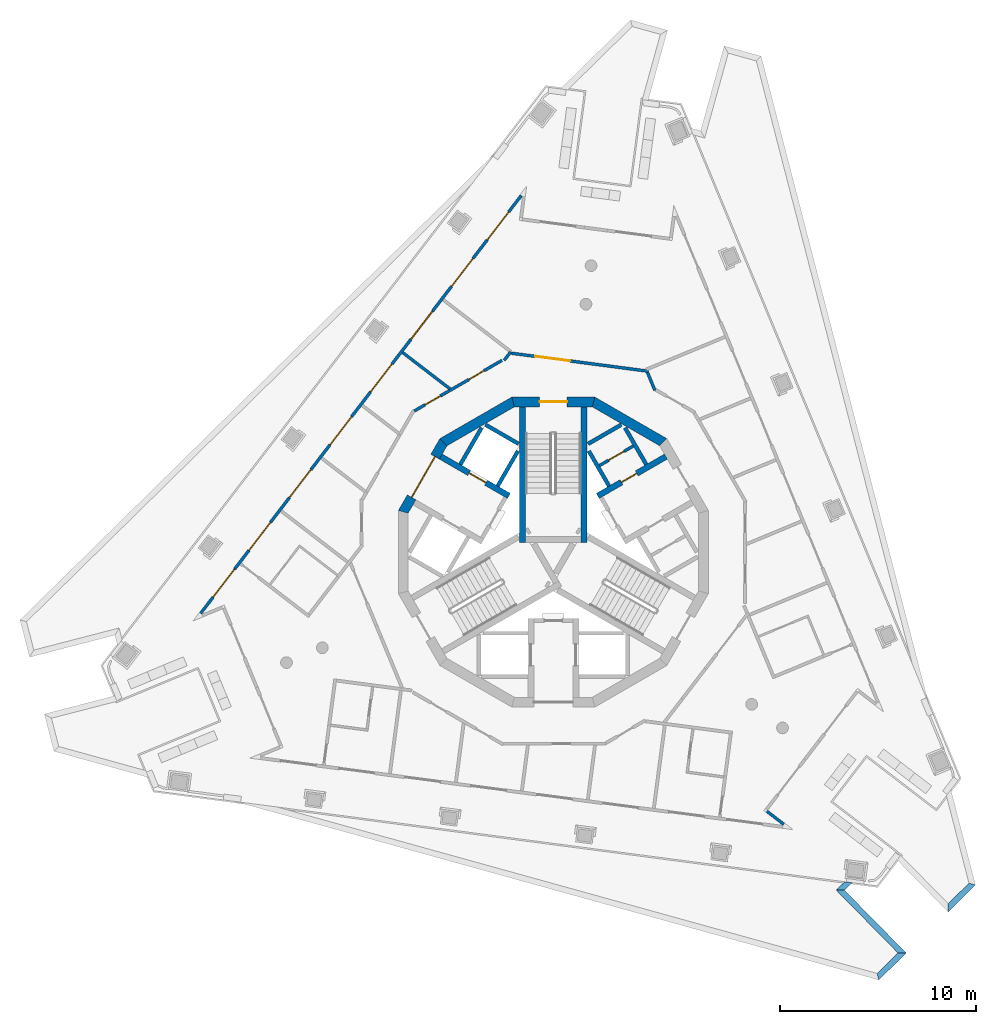
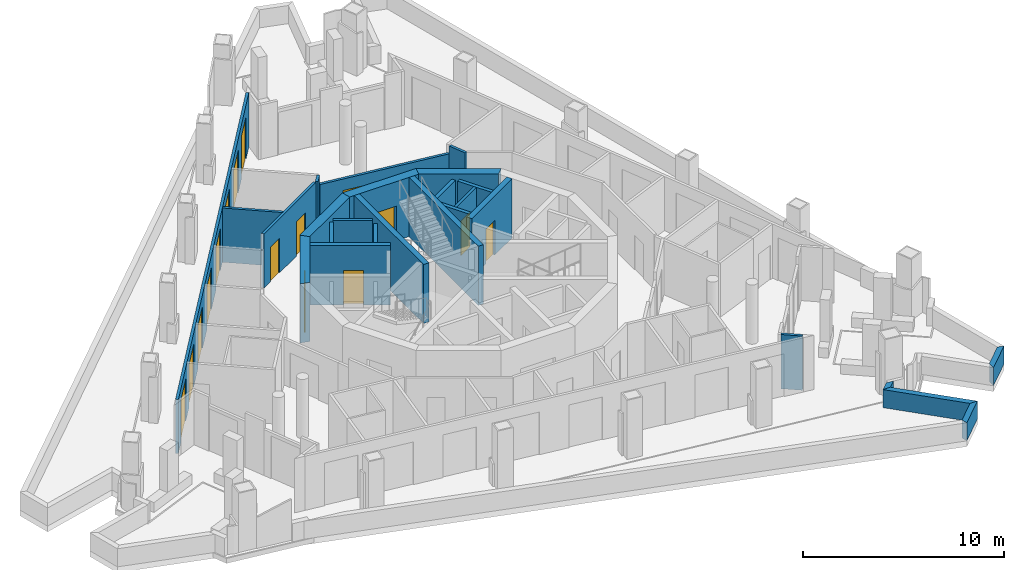
# One storey, part 4 of 12: 26 walls, 16 doors, 16 openings.
"""IFC4 building model written with IfcOpenShell, lengths in metres."""

import ifcopenshell
import ifcopenshell.guid

model = None  # the IFC model being written
_history = None  # IfcOwnerHistory: only IFC2X3 demands one
_inside = {}  # id of a spatial element -> (the spatial element, [elements in it])
_under = {}  # id of a project, library or spatial element -> (it, [spatial elements below it])
_declared = {}  # id of a project -> (the project, [libraries it declares])
_typed = {}  # id of a type object -> (the type object, [elements of that type])
_made_of = {}  # id of a material, layer set ... -> (it, [elements and type objects made of it])


def new_model(schema):
    """Start an empty IFC model of exactly this schema.

    Asked for "IFC4X3", IfcOpenShell would pick the latest addendum, in which some entities
    have other attributes; the version numbers below select the first issue.
    IFC2X3 requires an IfcOwnerHistory on every rooted entity: one is made here for all.
    """
    global model, _history
    if schema == "IFC4X3":
        model = ifcopenshell.file(schema_version=(4, 3, 0, 0))
    else:
        model = ifcopenshell.file(schema=schema)
    _inside.clear()
    _under.clear()
    _declared.clear()
    _typed.clear()
    _made_of.clear()
    _history = None
    if model.schema == "IFC2X3":
        org = make("IfcOrganization", Name="unknown")
        user = make(
            "IfcPersonAndOrganization",
            ThePerson=make("IfcPerson", FamilyName="unknown"),
            TheOrganization=org,
        )
        app = make(
            "IfcApplication",
            ApplicationDeveloper=org,
            Version="unknown",
            ApplicationFullName="unknown",
            ApplicationIdentifier="unknown",
        )
        _history = make(
            "IfcOwnerHistory",
            OwningUser=user,
            OwningApplication=app,
            ChangeAction="ADDED",
            CreationDate=0,
        )
    return model


def make(cls, **values):
    """One entity of the class cls with the attributes given. An attribute that is None is left unset."""
    return model.create_entity(
        cls, **{name: value for name, value in values.items() if value is not None}
    )


def rooted(cls, **values):
    """An entity with a GlobalId (a new one), such as an element, a storey or a relation."""
    return make(cls, GlobalId=ifcopenshell.guid.new(), OwnerHistory=_history, **values)


def si_unit(unit_type, name, prefix=None):
    """IfcSIUnit, for example si_unit("LENGTHUNIT", "METRE", prefix="MILLI")."""
    return make("IfcSIUnit", UnitType=unit_type, Prefix=prefix, Name=name)


def assignment(units):
    """IfcUnitAssignment: the units of a project."""
    return None if units is None else make("IfcUnitAssignment", Units=units)


def point(xyz):
    """IfcCartesianPoint."""
    return None if xyz is None else make("IfcCartesianPoint", Coordinates=xyz)


def direction(xyz):
    """IfcDirection."""
    return None if xyz is None else make("IfcDirection", DirectionRatios=xyz)


def frame(location, z_axis=None, x_axis=None):
    """IfcAxis2Placement3D, a coordinate frame: its origin and axes. An axis left out is left unset."""
    return make(
        "IfcAxis2Placement3D",
        Location=point(location),
        Axis=direction(z_axis),
        RefDirection=direction(x_axis),
    )


def frame_2d(location, x_axis=None):
    """IfcAxis2Placement2D, a coordinate frame in the plane: its origin and x axis."""
    return make(
        "IfcAxis2Placement2D", Location=point(location), RefDirection=direction(x_axis)
    )


def origin():
    """The frame at (0, 0, 0) with its axes left unset."""
    return frame((0.0, 0.0, 0.0))


def place(relative_to, where):
    """IfcLocalPlacement: puts the frame where relative to a parent placement (None: the world)."""
    return make(
        "IfcLocalPlacement", PlacementRelTo=relative_to, RelativePlacement=where
    )


def context(
    kind, dimensions, precision=None, world=None, true_north=None, identifier=None
):
    """IfcGeometricRepresentationContext, for example the 3D "Model" context."""
    return make(
        "IfcGeometricRepresentationContext",
        ContextIdentifier=identifier,
        ContextType=kind,
        CoordinateSpaceDimension=dimensions,
        Precision=precision,
        WorldCoordinateSystem=world,
        TrueNorth=true_north,
    )


def subcontext(parent, identifier, kind, view, scale=None):
    """IfcGeometricRepresentationSubContext, for example "Body" below "Model"."""
    return make(
        "IfcGeometricRepresentationSubContext",
        ContextIdentifier=identifier,
        ContextType=kind,
        ParentContext=parent,
        TargetScale=scale,
        TargetView=view,
    )


def project(units=None, contexts=None):
    """IfcProject with its units and contexts."""
    return rooted(
        "IfcProject",
        Name="project",
        RepresentationContexts=contexts,
        UnitsInContext=assignment(units),
    )


def spatial(cls, under=None, at=None, **own):
    """A site, building, storey or space (cls), placed at a placement, below another one or the project."""
    s = rooted(cls, ObjectPlacement=at, **own)
    if under is not None:
        _under.setdefault(under.id(), (under, []))[1].append(s)
    return s


def polyline(points):
    """IfcPolyline through the points."""
    return make("IfcPolyline", Points=[point(p) for p in points])


def profile(cls, at=None, kind="AREA", **sizes):
    """A parametric profile (cls). Its sizes go by their IFC names, for example OverallWidth=200.0."""
    return make(cls, ProfileType=kind, Position=at, **sizes)


def rectangle(**sizes):
    """IfcRectangleProfileDef."""
    return profile("IfcRectangleProfileDef", **sizes)


def outline(outer, holes=None, kind="AREA"):
    """IfcArbitraryClosedProfileDef: a profile drawn as a closed curve; with holes, ...WithVoids."""
    if holes is None:
        return make("IfcArbitraryClosedProfileDef", ProfileType=kind, OuterCurve=outer)
    return make(
        "IfcArbitraryProfileDefWithVoids",
        ProfileType=kind,
        OuterCurve=outer,
        InnerCurves=holes,
    )


def extrude(swept, where, along, depth):
    """IfcExtrudedAreaSolid: the profile swept, set in the frame where, extruded along a direction by depth."""
    return make(
        "IfcExtrudedAreaSolid",
        SweptArea=swept,
        Position=where,
        ExtrudedDirection=direction(along),
        Depth=depth,
    )


def shape(context_of_items, identifier, shape_type, items):
    """IfcShapeRepresentation: the items that make up one representation, for example the "Body"."""
    return make(
        "IfcShapeRepresentation",
        ContextOfItems=context_of_items,
        RepresentationIdentifier=identifier,
        RepresentationType=shape_type,
        Items=items,
    )


def material(Name=None, Category=None):
    """IfcMaterial."""
    return make("IfcMaterial", Name=Name, Category=Category)


def layer(
    of_material, thickness, ventilated=None, Name=None, Category=None, Priority=None
):
    """IfcMaterialLayer: one layer of a wall or slab, of a material (None: an air gap)."""
    return make(
        "IfcMaterialLayer",
        Material=of_material,
        LayerThickness=thickness,
        IsVentilated=ventilated,
        Name=Name,
        Category=Category,
        Priority=Priority,
    )


def layer_set(layers, Name=None):
    """IfcMaterialLayerSet."""
    return make("IfcMaterialLayerSet", MaterialLayers=layers, LayerSetName=Name)


def made_of(thing, what):
    """Note that an element or type object is made of a material, layer set ...; save() writes the relation."""
    if what is not None:
        _made_of.setdefault(what.id(), (what, []))[1].append(thing)
    return thing


def type_object(cls, material=None, **own):
    """A type object (cls), such as IfcWallType, which elements share."""
    return made_of(rooted(cls, **own), material)


def element(
    cls,
    number,
    at=None,
    inside=None,
    cuts=None,
    type_object=None,
    material=None,
    context=None,
    identifier="Body",
    shape_type=None,
    held_by="IfcProductDefinitionShape",
    body=None,
    shapes=None,
    **own,
):
    """One element of the class cls, such as IfcWall. Its Tag is "e" and its number.

    at: its placement. inside: the storey or other place that contains it. cuts: it is an
    opening in that element (IfcRelVoidsElement). A single representation is given by context,
    identifier, shape_type and body (its items); several are given by shapes. held_by: the class
    of the entity that holds the representations. save() writes the other relations.
    """
    e = rooted(cls, Tag="e%d" % number, ObjectPlacement=at, **own)
    if body is not None:
        shapes = [shape(context, identifier, shape_type, body)]
    if shapes is not None:
        e.Representation = make(held_by, Representations=shapes)
    if inside is not None:
        _inside.setdefault(inside.id(), (inside, []))[1].append(e)
    if cuts is not None:
        rooted(
            "IfcRelVoidsElement", RelatingBuildingElement=cuts, RelatedOpeningElement=e
        )
    if type_object is not None:
        _typed.setdefault(type_object.id(), (type_object, []))[1].append(e)
    return made_of(e, material)


def fill(opening, filler):
    """IfcRelFillsElement: the door or window that sits in an opening."""
    return rooted(
        "IfcRelFillsElement",
        RelatingOpeningElement=opening,
        RelatedBuildingElement=filler,
    )


def aggregate(whole, parts):
    """IfcRelAggregates: a whole, such as a stair, and the parts it consists of."""
    return rooted("IfcRelAggregates", RelatingObject=whole, RelatedObjects=parts)


def save(model, path):
    """Write the relations noted so far, then the file.

    IfcRelAggregates (storeys below a building ...), IfcRelContainedInSpatialStructure (elements
    in a storey), IfcRelDefinesByType, IfcRelAssociatesMaterial and IfcRelDeclares: one each for
    every whole, place, type object, material and project.
    """
    for whole, parts in _under.values():
        aggregate(whole, parts)
    for where, things in _inside.values():
        rooted(
            "IfcRelContainedInSpatialStructure",
            RelatedElements=things,
            RelatingStructure=where,
        )
    for kind, things in _typed.values():
        rooted("IfcRelDefinesByType", RelatedObjects=things, RelatingType=kind)
    for what, things in _made_of.values():
        rooted("IfcRelAssociatesMaterial", RelatedObjects=things, RelatingMaterial=what)
    for by, libraries in _declared.values():
        rooted("IfcRelDeclares", RelatingContext=by, RelatedDefinitions=libraries)
    model.write(path)


model = new_model("IFC4")

# Units and contexts
model_context = context("Model", 3, precision=1e-05, world=origin(), true_north=direction((0.0, 1.0)))
body_context = subcontext(model_context, "Body", "Model", "MODEL_VIEW")
ifc_project = project(units=[si_unit("LENGTHUNIT", "METRE"), si_unit("AREAUNIT", "SQUARE_METRE"), si_unit("VOLUMEUNIT", "CUBIC_METRE"), si_unit("PLANEANGLEUNIT", "RADIAN"), si_unit("MASSUNIT", "GRAM", prefix="KILO")], contexts=[model_context])

# Site, building, storey
site_placement = place(None, origin())
site = spatial("IfcSite", under=ifc_project, at=site_placement, CompositionType="ELEMENT")
building_placement = place(site_placement, origin())
building = spatial("IfcBuilding", under=site, at=building_placement, Name="Trine Commons Tower", CompositionType="ELEMENT")
storey_placement = place(building_placement, frame((0.0, 0.0, 271.800048828125)))
storey = spatial("IfcBuildingStorey", under=building, at=storey_placement, Name="L71", CompositionType="ELEMENT", Elevation=271.800048828125)

# Wall, opening, door
ifc_material_1 = material(Name="Plasterboard partition on steel studs", Category="steel")
ifc_layer_1 = layer(ifc_material_1, 0.14990234375)
ifc_layer_set_1 = layer_set([ifc_layer_1], Name="Plasterboard partition on steel studs")
wall_type_1 = type_object("IfcWallType", Name="Core room partition 150 mm, EI 60", PredefinedType="PARTITIONING", material=ifc_layer_set_1)
wall_1_placement = place(storey_placement, frame((82.35498046875, 66.919921875, 0.0), z_axis=(0.0, 0.0, 1.0), x_axis=(0.866010750942, 0.50002537861, 0.0)))
wall_1 = element("IfcWall", 1, at=wall_1_placement, inside=storey, type_object=wall_type_1, Name="Core room partition L71", PredefinedType="PARTITIONING", context=body_context, shape_type="SweptSolid", body=[
    extrude(rectangle(XDim=2.0, YDim=0.14990234375, at=frame_2d((1.0, 0.0))), origin(), (0.0, 0.0, 1.0), 3.300048828125),
])
opening_1_placement = place(wall_1_placement, frame((0.550537109375, 0.0, 0.0)))
opening_1 = element("IfcOpeningElement", 2, at=opening_1_placement, cuts=wall_1, Name="Opening K19.11", PredefinedType="OPENING", context=body_context, shape_type="SweptSolid", body=[
    extrude(rectangle(XDim=0.89990234375, YDim=2.10009765625, at=frame_2d((0.449951171875, 1.050048828125))), frame((0.0, 0.0849609375, 0.0), z_axis=(0.0, -1.0, 0.0), x_axis=(1.0, 0.0, 0.0)), (0.0, 0.0, 1.0), 0.169921875),
])
ifc_material_2 = material(Name="Steel door leaf, fire-rated", Category="steel")
door_type_1 = type_object("IfcDoorType", Name="Core room door, single leaf 900 x 2100, FD30S", OperationType="SINGLE_SWING_LEFT", PredefinedType="DOOR", material=ifc_material_2)
door_1_placement = place(opening_1_placement, origin())
door_1 = element("IfcDoor", 3, at=door_1_placement, inside=storey, type_object=door_type_1, Name="Door to Parcel store L71", OperationType="SINGLE_SWING_RIGHT", OverallHeight=2.10009765625, OverallWidth=0.89990234375, PredefinedType="DOOR", context=body_context, shape_type="SweptSolid", body=[
    extrude(rectangle(XDim=0.89990234375, YDim=2.10009765625, at=frame_2d((0.449951171875, 1.050048828125))), frame((0.0, 0.02490234375, 0.0), z_axis=(0.0, -1.0, 0.0), x_axis=(1.0, 0.0, 0.0)), (0.0, 0.0, 1.0), 0.050048828125),
])
fill(opening_1, door_1)

# Wall, openings, doors
ifc_material_3 = material(Name="Aluminium-framed insulated wall panel", Category="aluminium")
ifc_layer_2 = layer(ifc_material_3, 0.14990234375)
ifc_layer_set_2 = layer_set([ifc_layer_2], Name="Aluminium-framed insulated wall panel")
wall_type_2 = type_object("IfcWallType", Name="Glazed frame wall 150, EI 60", PredefinedType="SOLIDWALL", material=ifc_layer_set_2)
wall_2_placement = place(storey_placement, frame((61.8876953125, 59.251708984375, 0.0), z_axis=(0.0, 0.0, 1.0), x_axis=(0.608757974151, 0.793355991284, 0.0)))
wall_2 = element("IfcWall", 4, at=wall_2_placement, inside=storey, type_object=wall_type_2, Name="Glazed frame wall F1", PredefinedType="SOLIDWALL", context=body_context, shape_type="SweptSolid", body=[
    extrude(outline(polyline([(0.1494140625, 0.074951171875), (0.1494140625, -0.074951171875), (27.056884765625, -0.074951171875), (27.056884765625, 0.074951171875), (0.1494140625, 0.074951171875)])), origin(), (0.0, 0.0, 1.0), 3.300048828125),
])
opening_2_placement = place(wall_2_placement, frame((1.200439453125, 0.0, 0.0)))
opening_2 = element("IfcOpeningElement", 5, at=opening_2_placement, cuts=wall_2, Name="Opening BD-8F1-01", PredefinedType="OPENING", context=body_context, shape_type="SweptSolid", body=[
    extrude(rectangle(XDim=1.800048828125, YDim=2.60009765625, at=frame_2d((0.89990234375, 1.300048828125))), frame((0.0, 0.0849609375, 0.0), z_axis=(0.0, -1.0, 0.0), x_axis=(1.0, 0.0, 0.0)), (0.0, 0.0, 1.0), 0.169921875),
])
opening_3_placement = place(wall_2_placement, frame((4.201171875, 0.0, 0.0)))
opening_3 = element("IfcOpeningElement", 6, at=opening_3_placement, cuts=wall_2, Name="Opening BD-8F1-02", PredefinedType="OPENING", context=body_context, shape_type="SweptSolid", body=[
    extrude(rectangle(XDim=1.800048828125, YDim=2.60009765625, at=frame_2d((0.89990234375, 1.300048828125))), frame((0.0, 0.0849609375, 0.0), z_axis=(0.0, -1.0, 0.0), x_axis=(1.0, 0.0, 0.0)), (0.0, 0.0, 1.0), 0.169921875),
])
opening_4_placement = place(wall_2_placement, frame((7.60205078125, 0.0, 0.0)))
opening_4 = element("IfcOpeningElement", 7, at=opening_4_placement, cuts=wall_2, Name="Opening BD-8F1-03", PredefinedType="OPENING", context=body_context, shape_type="SweptSolid", body=[
    extrude(rectangle(XDim=1.800048828125, YDim=2.60009765625, at=frame_2d((0.89990234375, 1.300048828125))), frame((0.0, 0.0849609375, 0.0), z_axis=(0.0, -1.0, 0.0), x_axis=(1.0, 0.0, 0.0)), (0.0, 0.0, 1.0), 0.169921875),
])
opening_5_placement = place(wall_2_placement, frame((11.002685546875, 0.0, 0.0)))
opening_5 = element("IfcOpeningElement", 8, at=opening_5_placement, cuts=wall_2, Name="Opening BD-8F1-04", PredefinedType="OPENING", context=body_context, shape_type="SweptSolid", body=[
    extrude(rectangle(XDim=1.800048828125, YDim=2.60009765625, at=frame_2d((0.89990234375, 1.300048828125))), frame((0.0, 0.0849609375, 0.0), z_axis=(0.0, -1.0, 0.0), x_axis=(1.0, 0.0, 0.0)), (0.0, 0.0, 1.0), 0.169921875),
])
opening_6_placement = place(wall_2_placement, frame((14.403564453125, 0.0, 0.0)))
opening_6 = element("IfcOpeningElement", 9, at=opening_6_placement, cuts=wall_2, Name="Opening BD-8F1-05", PredefinedType="OPENING", context=body_context, shape_type="SweptSolid", body=[
    extrude(rectangle(XDim=1.800048828125, YDim=2.60009765625, at=frame_2d((0.89990234375, 1.300048828125))), frame((0.0, 0.0849609375, 0.0), z_axis=(0.0, -1.0, 0.0), x_axis=(1.0, 0.0, 0.0)), (0.0, 0.0, 1.0), 0.169921875),
])
opening_7_placement = place(wall_2_placement, frame((17.804443359375, 0.0, 0.0)))
opening_7 = element("IfcOpeningElement", 10, at=opening_7_placement, cuts=wall_2, Name="Opening BD-8F1-06", PredefinedType="OPENING", context=body_context, shape_type="SweptSolid", body=[
    extrude(rectangle(XDim=1.800048828125, YDim=2.60009765625, at=frame_2d((0.89990234375, 1.300048828125))), frame((0.0, 0.0849609375, 0.0), z_axis=(0.0, -1.0, 0.0), x_axis=(1.0, 0.0, 0.0)), (0.0, 0.0, 1.0), 0.169921875),
])
opening_8_placement = place(wall_2_placement, frame((21.205078125, 0.0, 0.0)))
opening_8 = element("IfcOpeningElement", 11, at=opening_8_placement, cuts=wall_2, Name="Opening BD-8F1-07", PredefinedType="OPENING", context=body_context, shape_type="SweptSolid", body=[
    extrude(rectangle(XDim=1.800048828125, YDim=2.60009765625, at=frame_2d((0.89990234375, 1.300048828125))), frame((0.0, 0.0849609375, 0.0), z_axis=(0.0, -1.0, 0.0), x_axis=(1.0, 0.0, 0.0)), (0.0, 0.0, 1.0), 0.169921875),
])
opening_9_placement = place(wall_2_placement, frame((24.2060546875, 0.0, 0.0)))
opening_9 = element("IfcOpeningElement", 12, at=opening_9_placement, cuts=wall_2, Name="Opening BD-8F1-08", PredefinedType="OPENING", context=body_context, shape_type="SweptSolid", body=[
    extrude(rectangle(XDim=1.800048828125, YDim=2.60009765625, at=frame_2d((0.89990234375, 1.300048828125))), frame((0.0, 0.0849609375, 0.0), z_axis=(0.0, -1.0, 0.0), x_axis=(1.0, 0.0, 0.0)), (0.0, 0.0, 1.0), 0.169921875),
])
ifc_material_4 = material(Name="Anodised aluminium frame with double glazing", Category="aluminium")
door_type_2 = type_object("IfcDoorType", Name="Sliding loggia door 1800x2600", OperationType="SLIDING_TO_LEFT", PredefinedType="DOOR", material=ifc_material_4)
door_2_placement = place(opening_2_placement, origin())
door_2 = element("IfcDoor", 13, at=door_2_placement, inside=storey, type_object=door_type_2, Name="Loggia door F1 1", OperationType="SLIDING_TO_LEFT", OverallHeight=2.60009765625, OverallWidth=1.800048828125, PredefinedType="DOOR", context=body_context, shape_type="SweptSolid", body=[
    extrude(rectangle(XDim=1.800048828125, YDim=2.60009765625, at=frame_2d((0.89990234375, 1.300048828125))), frame((0.0, 0.02490234375, 0.0), z_axis=(0.0, -1.0, 0.0), x_axis=(1.0, 0.0, 0.0)), (0.0, 0.0, 1.0), 0.050048828125),
])
fill(opening_2, door_2)
door_3_placement = place(opening_3_placement, origin())
door_3 = element("IfcDoor", 14, at=door_3_placement, inside=storey, type_object=door_type_2, Name="Loggia door F1 2", OperationType="SLIDING_TO_LEFT", OverallHeight=2.60009765625, OverallWidth=1.800048828125, PredefinedType="DOOR", context=body_context, shape_type="SweptSolid", body=[
    extrude(rectangle(XDim=1.800048828125, YDim=2.60009765625, at=frame_2d((0.89990234375, 1.300048828125))), frame((0.0, 0.02490234375, 0.0), z_axis=(0.0, -1.0, 0.0), x_axis=(1.0, 0.0, 0.0)), (0.0, 0.0, 1.0), 0.050048828125),
])
fill(opening_3, door_3)
door_4_placement = place(opening_4_placement, origin())
door_4 = element("IfcDoor", 15, at=door_4_placement, inside=storey, type_object=door_type_2, Name="Loggia door F1 3", OperationType="SLIDING_TO_LEFT", OverallHeight=2.60009765625, OverallWidth=1.800048828125, PredefinedType="DOOR", context=body_context, shape_type="SweptSolid", body=[
    extrude(rectangle(XDim=1.800048828125, YDim=2.60009765625, at=frame_2d((0.89990234375, 1.300048828125))), frame((0.0, 0.02490234375, 0.0), z_axis=(0.0, -1.0, 0.0), x_axis=(1.0, 0.0, 0.0)), (0.0, 0.0, 1.0), 0.050048828125),
])
fill(opening_4, door_4)
door_5_placement = place(opening_5_placement, origin())
door_5 = element("IfcDoor", 16, at=door_5_placement, inside=storey, type_object=door_type_2, Name="Loggia door F1 4", OperationType="SLIDING_TO_LEFT", OverallHeight=2.60009765625, OverallWidth=1.800048828125, PredefinedType="DOOR", context=body_context, shape_type="SweptSolid", body=[
    extrude(rectangle(XDim=1.800048828125, YDim=2.60009765625, at=frame_2d((0.89990234375, 1.300048828125))), frame((0.0, 0.02490234375, 0.0), z_axis=(0.0, -1.0, 0.0), x_axis=(1.0, 0.0, 0.0)), (0.0, 0.0, 1.0), 0.050048828125),
])
fill(opening_5, door_5)
door_6_placement = place(opening_6_placement, origin())
door_6 = element("IfcDoor", 17, at=door_6_placement, inside=storey, type_object=door_type_2, Name="Loggia door F1 5", OperationType="SLIDING_TO_LEFT", OverallHeight=2.60009765625, OverallWidth=1.800048828125, PredefinedType="DOOR", context=body_context, shape_type="SweptSolid", body=[
    extrude(rectangle(XDim=1.800048828125, YDim=2.60009765625, at=frame_2d((0.89990234375, 1.300048828125))), frame((0.0, 0.02490234375, 0.0), z_axis=(0.0, -1.0, 0.0), x_axis=(1.0, 0.0, 0.0)), (0.0, 0.0, 1.0), 0.050048828125),
])
fill(opening_6, door_6)
door_7_placement = place(opening_7_placement, origin())
door_7 = element("IfcDoor", 18, at=door_7_placement, inside=storey, type_object=door_type_2, Name="Loggia door F1 6", OperationType="SLIDING_TO_LEFT", OverallHeight=2.60009765625, OverallWidth=1.800048828125, PredefinedType="DOOR", context=body_context, shape_type="SweptSolid", body=[
    extrude(rectangle(XDim=1.800048828125, YDim=2.60009765625, at=frame_2d((0.89990234375, 1.300048828125))), frame((0.0, 0.02490234375, 0.0), z_axis=(0.0, -1.0, 0.0), x_axis=(1.0, 0.0, 0.0)), (0.0, 0.0, 1.0), 0.050048828125),
])
fill(opening_7, door_7)
door_8_placement = place(opening_8_placement, origin())
door_8 = element("IfcDoor", 19, at=door_8_placement, inside=storey, type_object=door_type_2, Name="Loggia door F1 7", OperationType="SLIDING_TO_LEFT", OverallHeight=2.60009765625, OverallWidth=1.800048828125, PredefinedType="DOOR", context=body_context, shape_type="SweptSolid", body=[
    extrude(rectangle(XDim=1.800048828125, YDim=2.60009765625, at=frame_2d((0.89990234375, 1.300048828125))), frame((0.0, 0.02490234375, 0.0), z_axis=(0.0, -1.0, 0.0), x_axis=(1.0, 0.0, 0.0)), (0.0, 0.0, 1.0), 0.050048828125),
])
fill(opening_8, door_8)
door_9_placement = place(opening_9_placement, origin())
door_9 = element("IfcDoor", 20, at=door_9_placement, inside=storey, type_object=door_type_2, Name="Loggia door F1 8", OperationType="SLIDING_TO_LEFT", OverallHeight=2.60009765625, OverallWidth=1.800048828125, PredefinedType="DOOR", context=body_context, shape_type="SweptSolid", body=[
    extrude(rectangle(XDim=1.800048828125, YDim=2.60009765625, at=frame_2d((0.89990234375, 1.300048828125))), frame((0.0, 0.02490234375, 0.0), z_axis=(0.0, -1.0, 0.0), x_axis=(1.0, 0.0, 0.0)), (0.0, 0.0, 1.0), 0.050048828125),
])
fill(opening_9, door_9)

# Wall
wall_3_placement = place(storey_placement, frame((90.827880859375, 49.319580078125, 0.0), z_axis=(0.0, 0.0, 1.0), x_axis=(0.793439797287, -0.608648739488, 0.0)))
element("IfcWall", 21, at=wall_3_placement, inside=storey, type_object=wall_type_2, Name="Glazed frame wall R8", PredefinedType="SOLIDWALL", context=body_context, shape_type="SweptSolid", body=[
    extrude(outline(polyline([(0.110107421875, 0.074951171875), (0.110107421875, -0.074951171875), (1.19580078125, -0.074951171875), (1.19580078125, 0.074951171875), (0.110107421875, 0.074951171875)])), origin(), (0.0, 0.0, 1.0), 3.300048828125),
])

# Wall, opening, door
ifc_material_5 = material(Name="Concrete C50/60", Category="concrete")
ifc_layer_3 = layer(ifc_material_5, 0.300048828125)
ifc_layer_set_3 = layer_set([ifc_layer_3], Name="Concrete C50/60")
wall_type_3 = type_object("IfcWallType", Name="RC shear wall 300 mm, C50/60", PredefinedType="SHEAR", material=ifc_layer_set_3)
wall_4_placement = place(storey_placement, frame((77.73095703125, 65.368896484375, 0.0), z_axis=(0.0, 0.0, 1.0), x_axis=(-0.866056154689, 0.499946734088, 0.0)))
wall_4 = element("IfcWall", 22, at=wall_4_placement, inside=storey, type_object=wall_type_3, Name="Core cross wall SWD-02 L71", PredefinedType="SHEAR", context=body_context, shape_type="SweptSolid", body=[
    extrude(rectangle(XDim=4.0205078125, YDim=0.300048828125, at=frame_2d((2.01025390625, 0.0))), origin(), (0.0, 0.0, 1.0), 3.599853515625),
])
opening_10_placement = place(wall_4_placement, frame((1.350341796875, 0.0, 0.0)))
opening_10 = element("IfcOpeningElement", 23, at=opening_10_placement, cuts=wall_4, Name="Opening LD8", PredefinedType="OPENING", context=body_context, shape_type="SweptSolid", body=[
    extrude(rectangle(XDim=1.0, YDim=2.10009765625, at=frame_2d((0.5, 1.050048828125))), frame((0.0, 0.159912109375, 0.0), z_axis=(0.0, -1.0, 0.0), x_axis=(1.0, 0.0, 0.0)), (0.0, 0.0, 1.0), 0.320068359375),
])
ifc_material_6 = material(Name="Stainless steel sliding door leaves", Category="steel")
door_type_3 = type_object("IfcDoorType", Name="Lift landing door, centre-opening sliding 1000 x 2100, FD90", OperationType="DOUBLE_DOOR_SLIDING", PredefinedType="DOOR", material=ifc_material_6)
door_10_placement = place(opening_10_placement, origin())
door_10 = element("IfcDoor", 24, at=door_10_placement, inside=storey, type_object=door_type_3, Name="Lift landing door HR4 L71", OperationType="DOUBLE_DOOR_SLIDING", OverallHeight=2.10009765625, OverallWidth=1.0, PredefinedType="DOOR", context=body_context, shape_type="SweptSolid", body=[
    extrude(rectangle(XDim=1.0, YDim=2.10009765625, at=frame_2d((0.5, 1.050048828125))), frame((0.0, 0.02490234375, 0.0), z_axis=(0.0, -1.0, 0.0), x_axis=(1.0, 0.0, 0.0)), (0.0, 0.0, 1.0), 0.050048828125),
])
fill(opening_10, door_10)

wall_5_placement = place(storey_placement, frame((82.26904296875, 65.368896484375, 0.0), z_axis=(0.0, 0.0, 1.0), x_axis=(0.866056154689, 0.499946734088, 0.0)))
wall_5 = element("IfcWall", 25, at=wall_5_placement, inside=storey, type_object=wall_type_3, Name="Core cross wall SWD-05 L71", PredefinedType="SHEAR", context=body_context, shape_type="SweptSolid", body=[
    extrude(rectangle(XDim=4.0205078125, YDim=0.300048828125, at=frame_2d((2.01025390625, 0.0))), origin(), (0.0, 0.0, 1.0), 3.599853515625),
])
opening_11_placement = place(wall_5_placement, frame((1.400390625, 0.0, 0.0)))
opening_11 = element("IfcOpeningElement", 26, at=opening_11_placement, cuts=wall_5, Name="Opening K19.10", PredefinedType="OPENING", context=body_context, shape_type="SweptSolid", body=[
    extrude(rectangle(XDim=0.89990234375, YDim=2.10009765625, at=frame_2d((0.449951171875, 1.050048828125))), frame((0.0, 0.159912109375, 0.0), z_axis=(0.0, -1.0, 0.0), x_axis=(1.0, 0.0, 0.0)), (0.0, 0.0, 1.0), 0.320068359375),
])
door_11_placement = place(opening_11_placement, origin())
door_11 = element("IfcDoor", 27, at=door_11_placement, inside=storey, type_object=door_type_1, Name="Door to Comms room L71", OperationType="SINGLE_SWING_LEFT", OverallHeight=2.10009765625, OverallWidth=0.89990234375, PredefinedType="DOOR", context=body_context, shape_type="SweptSolid", body=[
    extrude(rectangle(XDim=0.89990234375, YDim=2.10009765625, at=frame_2d((0.449951171875, 1.050048828125))), frame((0.0, 0.02490234375, 0.0), z_axis=(0.0, -1.0, 0.0), x_axis=(1.0, 0.0, 0.0)), (0.0, 0.0, 1.0), 0.050048828125),
])
fill(opening_11, door_11)

# Walls
for number, where, z_axis, x_axis, name in (
    (28, (78.425048828125, 63.0009765625, 0.0), (0.0, 0.0, 1.0), (0.0, 1.0, 0.0), "Core cross wall SWD-08 L71"),
    (29, (81.574951171875, 63.0009765625, 0.0), (0.0, 0.0, 1.0), (0.0, 1.0, 0.0), "Core cross wall SWD-17 L71"),
):
    element("IfcWall", number, at=place(storey_placement, frame(where, z_axis=z_axis, x_axis=x_axis)), inside=storey, type_object=wall_type_3, Name=name, PredefinedType="SHEAR", context=body_context, shape_type="SweptSolid", body=[
        extrude(rectangle(XDim=6.919921875, YDim=0.300048828125, at=frame_2d((3.4599609375, 0.0))), origin(), (0.0, 0.0, 1.0), 3.599853515625),
    ])
ifc_layer_4 = layer(ifc_material_5, 0.5)
ifc_layer_set_4 = layer_set([ifc_layer_4], Name="Concrete C50/60")
wall_type_4 = type_object("IfcWallType", Name="RC shear wall 500 mm, C50/60", PredefinedType="SHEAR", material=ifc_layer_set_4)
wall_6_placement = place(storey_placement, frame((85.67333984375, 68.081787109375, 0.0), z_axis=(0.0, 0.0, 1.0), x_axis=(-0.866029463428, 0.499992968425, 0.0)))
element("IfcWall", 30, at=wall_6_placement, inside=storey, type_object=wall_type_4, Name="Core wall CWH-03 L71", PredefinedType="SHEAR", context=body_context, shape_type="SweptSolid", body=[
    extrude(outline(polyline([(0.0, -0.25), (4.24462890625, -0.25), (4.110595703125, 0.25), (0.134033203125, 0.25), (0.0, -0.25)])), origin(), (0.0, 0.0, 1.0), 3.599853515625),
])

# Wall, opening, door
wall_7_placement = place(storey_placement, frame((82.122314453125, 70.170654296875, 0.0), z_axis=(0.0, 0.0, 1.0), x_axis=(-1.0, 0.0, 0.0)))
wall_7 = element("IfcWall", 31, at=wall_7_placement, inside=storey, type_object=wall_type_4, Name="Core wall CWH-04 L71", PredefinedType="SHEAR", context=body_context, shape_type="SweptSolid", body=[
    extrude(outline(polyline([(0.0, -0.25), (4.24462890625, -0.25), (4.110595703125, 0.25), (0.134033203125, 0.25), (0.0, -0.25)])), origin(), (0.0, 0.0, 1.0), 3.599853515625),
])
opening_12_placement = place(wall_7_placement, frame((1.42236328125, 0.0, 0.0)))
opening_12 = element("IfcOpeningElement", 32, at=opening_12_placement, cuts=wall_7, Name="Opening K19.01", PredefinedType="OPENING", context=body_context, shape_type="SweptSolid", body=[
    extrude(rectangle(XDim=1.39990234375, YDim=2.10009765625, at=frame_2d((0.699951171875, 1.050048828125))), frame((0.0, 0.260009765625, 0.0), z_axis=(0.0, -1.0, 0.0), x_axis=(1.0, 0.0, 0.0)), (0.0, 0.0, 1.0), 0.52001953125),
])
ifc_material_7 = material(Name="Steel door leaves, fire-rated", Category="steel")
door_type_4 = type_object("IfcDoorType", Name="Stair door, double leaf 1400 x 2100, FD90", OperationType="DOUBLE_DOOR_SINGLE_SWING", PredefinedType="DOOR", material=ifc_material_7)
door_12_placement = place(opening_12_placement, origin())
door_12 = element("IfcDoor", 33, at=door_12_placement, inside=storey, type_object=door_type_4, Name="Stair door to Exit stair ST1D L71", OperationType="DOUBLE_DOOR_SINGLE_SWING", OverallHeight=2.10009765625, OverallWidth=1.39990234375, PredefinedType="DOOR", context=body_context, shape_type="SweptSolid", body=[
    extrude(rectangle(XDim=1.39990234375, YDim=2.10009765625, at=frame_2d((0.699951171875, 1.050048828125))), frame((0.0, 0.02490234375, 0.0), z_axis=(0.0, -1.0, 0.0), x_axis=(1.0, 0.0, 0.0)), (0.0, 0.0, 1.0), 0.050048828125),
])
fill(opening_12, door_12)

# Wall
wall_8_placement = place(storey_placement, frame((78.002685546875, 70.2041015625, 0.0), z_axis=(0.0, 0.0, 1.0), x_axis=(-0.866029463428, -0.499992968425, 0.0)))
element("IfcWall", 34, at=wall_8_placement, inside=storey, type_object=wall_type_4, Name="Core wall CWH-05 L71", PredefinedType="SHEAR", context=body_context, shape_type="SweptSolid", body=[
    extrude(outline(polyline([(0.0, -0.25), (4.24462890625, -0.25), (4.110595703125, 0.25), (0.134033203125, 0.25), (0.0, -0.25)])), origin(), (0.0, 0.0, 1.0), 3.599853515625),
])

# Wall, opening, door
wall_9_placement = place(storey_placement, frame((74.418212890625, 68.17333984375, 0.0), z_axis=(0.0, 0.0, 1.0), x_axis=(-0.499992968425, -0.866029463428, 0.0)))
wall_9 = element("IfcWall", 35, at=wall_9_placement, inside=storey, type_object=wall_type_4, Name="Core wall CWH-06 L71", PredefinedType="SHEAR", context=body_context, shape_type="SweptSolid", body=[
    extrude(outline(polyline([(0.0, -0.25), (4.24462890625, -0.25), (4.110595703125, 0.25), (0.134033203125, 0.25), (0.0, -0.25)])), origin(), (0.0, 0.0, 1.0), 3.599853515625),
])
opening_13_placement = place(wall_9_placement, frame((0.92236328125, 0.0, 0.0)))
opening_13 = element("IfcOpeningElement", 36, at=opening_13_placement, cuts=wall_9, Name="Opening K19.06", PredefinedType="OPENING", context=body_context, shape_type="SweptSolid", body=[
    extrude(rectangle(XDim=2.39990234375, YDim=2.10009765625, at=frame_2d((1.199951171875, 1.050048828125))), frame((0.0, 0.260009765625, 0.0), z_axis=(0.0, -1.0, 0.0), x_axis=(1.0, 0.0, 0.0)), (0.0, 0.0, 1.0), 0.52001953125),
])
door_type_5 = type_object("IfcDoorType", Name="Lobby door, double leaf 2400 x 2100, FD60", OperationType="DOUBLE_DOOR_SINGLE_SWING", PredefinedType="DOOR", material=ifc_material_7)
door_13_placement = place(opening_13_placement, origin())
door_13 = element("IfcDoor", 37, at=door_13_placement, inside=storey, type_object=door_type_5, Name="Lobby door, Passenger lift lobby B L71", OperationType="DOUBLE_DOOR_SINGLE_SWING", OverallHeight=2.10009765625, OverallWidth=2.39990234375, PredefinedType="DOOR", context=body_context, shape_type="SweptSolid", body=[
    extrude(rectangle(XDim=2.39990234375, YDim=2.10009765625, at=frame_2d((1.199951171875, 1.050048828125))), frame((0.0, 0.02490234375, 0.0), z_axis=(0.0, -1.0, 0.0), x_axis=(1.0, 0.0, 0.0)), (0.0, 0.0, 1.0), 0.050048828125),
])
fill(opening_13, door_13)

# Walls
ifc_material_8 = material(Name="Fire-rated gypsum shaft wall system")
ifc_layer_5 = layer(ifc_material_8, 0.199951171875)
ifc_layer_set_5 = layer_set([ifc_layer_5], Name="Fire-rated gypsum shaft wall system")
wall_type_5 = type_object("IfcWallType", Name="Shaft wall 200 mm, EI 120", PredefinedType="PARTITIONING", material=ifc_layer_set_5)
wall_10_placement = place(storey_placement, frame((75.2509765625, 66.97412109375, 0.0), z_axis=(0.0, 0.0, 1.0), x_axis=(0.500060114735, 0.865990693744, 0.0)))
element("IfcWall", 38, at=wall_10_placement, inside=storey, type_object=wall_type_5, Name="Shaft wall L71", PredefinedType="PARTITIONING", context=body_context, shape_type="SweptSolid", body=[
    extrude(rectangle(XDim=2.169677734375, YDim=0.199951171875, at=frame_2d((1.0849609375, 0.0))), origin(), (0.0, 0.0, 1.0), 3.300048828125),
])
wall_11_placement = place(storey_placement, frame((77.156005859375, 65.8740234375, 0.0), z_axis=(0.0, 0.0, 1.0), x_axis=(0.499865770674, 0.866102887253, 0.0)))
element("IfcWall", 39, at=wall_11_placement, inside=storey, type_object=wall_type_5, Name="Shaft wall L71", PredefinedType="PARTITIONING", context=body_context, shape_type="SweptSolid", body=[
    extrude(rectangle(XDim=2.064453125, YDim=0.199951171875, at=frame_2d((1.0322265625, 0.0))), origin(), (0.0, 0.0, 1.0), 3.300048828125),
])
for number, where, z_axis, x_axis, name in (
    (40, (78.22509765625, 68.028076171875, 0.0), (0.0, 0.0, 1.0), (-0.866071410914, 0.499920304846, 0.0), "Shaft wall L71"),
    (41, (81.77490234375, 68.028076171875, 0.0), (0.0, 0.0, 1.0), (0.866071410914, 0.499920304846, 0.0), "Shaft wall L71"),
):
    element("IfcWall", number, at=place(storey_placement, frame(where, z_axis=z_axis, x_axis=x_axis)), inside=storey, type_object=wall_type_5, Name=name, PredefinedType="PARTITIONING", context=body_context, shape_type="SweptSolid", body=[
        extrude(rectangle(XDim=1.958251953125, YDim=0.199951171875, at=frame_2d((0.97900390625, 0.0))), origin(), (0.0, 0.0, 1.0), 3.300048828125),
    ])
wall_12_placement = place(storey_placement, frame((82.843994140625, 65.8740234375, 0.0), z_axis=(0.0, 0.0, 1.0), x_axis=(-0.499865770674, 0.866102887253, 0.0)))
element("IfcWall", 42, at=wall_12_placement, inside=storey, type_object=wall_type_5, Name="Shaft wall L71", PredefinedType="PARTITIONING", context=body_context, shape_type="SweptSolid", body=[
    extrude(rectangle(XDim=2.064453125, YDim=0.199951171875, at=frame_2d((1.0322265625, 0.0))), origin(), (0.0, 0.0, 1.0), 3.300048828125),
])
wall_13_placement = place(storey_placement, frame((84.7490234375, 66.97412109375, 0.0), z_axis=(0.0, 0.0, 1.0), x_axis=(-0.500060114735, 0.865990693744, 0.0)))
element("IfcWall", 43, at=wall_13_placement, inside=storey, type_object=wall_type_5, Name="Shaft wall L71", PredefinedType="PARTITIONING", context=body_context, shape_type="SweptSolid", body=[
    extrude(rectangle(XDim=2.169677734375, YDim=0.199951171875, at=frame_2d((1.0849609375, 0.0))), origin(), (0.0, 0.0, 1.0), 3.300048828125),
])
ifc_material_9 = material(Name="Limestone, honed", Category="masonry")
ifc_layer_6 = layer(ifc_material_9, 0.300048828125)
ifc_layer_set_6 = layer_set([ifc_layer_6], Name="Limestone, honed")
wall_type_6 = type_object("IfcWallType", Name="Stone parapet 300", PredefinedType="PARAPET", material=ifc_layer_set_6)
wall_14_placement = place(storey_placement, origin())
element("IfcWall", 44, at=wall_14_placement, inside=storey, type_object=wall_type_6, Name="Sliver roof parapet L70 4.2", PredefinedType="PARAPET", context=body_context, shape_type="SweptSolid", body=[
    extrude(outline(polyline([(96.6328125, 40.632080078125), (98.03369140625, 42.0087890625), (97.609375, 42.012451171875), (96.546142578125, 40.967529296875), (96.6328125, 40.632080078125)])), origin(), (0.0, 0.0, 1.0), 1.099853515625),
])
wall_15_placement = place(storey_placement, origin())
element("IfcWall", 45, at=wall_15_placement, inside=storey, type_object=wall_type_6, Name="Sliver roof parapet L70 4.3", PredefinedType="PARAPET", context=body_context, shape_type="SweptSolid", body=[
    extrude(outline(polyline([(98.03369140625, 42.0087890625), (94.879638671875, 45.218505859375), (94.455322265625, 45.22216796875), (97.609375, 42.012451171875), (98.03369140625, 42.0087890625)])), origin(), (0.0, 0.0, 1.0), 1.099853515625),
])
wall_16_placement = place(storey_placement, origin())
element("IfcWall", 46, at=wall_16_placement, inside=storey, type_object=wall_type_6, Name="Sliver roof parapet L70 4.4", PredefinedType="PARAPET", context=body_context, shape_type="SweptSolid", body=[
    extrude(outline(polyline([(94.879638671875, 45.218505859375), (95.27294921875, 45.60498046875), (94.8955078125, 45.654541015625), (94.455322265625, 45.22216796875), (94.879638671875, 45.218505859375)])), origin(), (0.0, 0.0, 1.0), 1.099853515625),
])
wall_17_placement = place(storey_placement, origin())
element("IfcWall", 47, at=wall_17_placement, inside=storey, type_object=wall_type_6, Name="Sliver roof parapet L70 6.3", PredefinedType="PARAPET", context=body_context, shape_type="SweptSolid", body=[
    extrude(outline(polyline([(100.17333984375, 44.111572265625), (101.57421875, 45.488037109375), (101.240478515625, 45.580810546875), (100.177001953125, 44.53564453125), (100.17333984375, 44.111572265625)])), origin(), (0.0, 0.0, 1.0), 1.099853515625),
])
ifc_material_10 = material(Name="Gypsum plasterboard on steel stud", Category="steel")
ifc_layer_7 = layer(ifc_material_10, 0.14990234375)
ifc_layer_set_7 = layer_set([ifc_layer_7], Name="Gypsum plasterboard on steel stud")
wall_type_7 = type_object("IfcWallType", Name="Unit and corridor wall 150 mm, EI 60", PredefinedType="PARTITIONING", material=ifc_layer_set_7)
wall_18_placement = place(storey_placement, frame((72.298583984375, 72.696533203125, 0.0), z_axis=(0.0, 0.0, 1.0), x_axis=(0.793299429492, -0.60883168049, 0.0)))
element("IfcWall", 48, at=wall_18_placement, inside=storey, type_object=wall_type_7, Name="Partition 022", PredefinedType="PARTITIONING", context=body_context, shape_type="SweptSolid", body=[
    extrude(rectangle(XDim=3.048095703125, YDim=0.14990234375, at=frame_2d((1.52392578125, 0.0))), origin(), (0.0, 0.0, 1.0), 3.300048828125),
])

# Wall, openings, doors
wall_19_placement = place(storey_placement, frame((72.893798828125, 69.70849609375, 0.0), z_axis=(0.0, 0.0, 1.0), x_axis=(0.866010370781, 0.500026037022, 0.0)))
wall_19 = element("IfcWall", 49, at=wall_19_placement, inside=storey, type_object=wall_type_7, Name="Partition 024", PredefinedType="PARTITIONING", context=body_context, shape_type="SweptSolid", body=[
    extrude(rectangle(XDim=5.174560546875, YDim=0.14990234375, at=frame_2d((2.58740234375, 0.0))), origin(), (0.0, 0.0, 1.0), 3.300048828125),
])
opening_14_placement = place(wall_19_placement, frame((0.636474609375, 0.0, 0.0)))
opening_14 = element("IfcOpeningElement", 50, at=opening_14_placement, cuts=wall_19, Name="Opening D-8A07", PredefinedType="OPENING", context=body_context, shape_type="SweptSolid", body=[
    extrude(rectangle(XDim=0.89990234375, YDim=2.10009765625, at=frame_2d((0.449951171875, 1.050048828125))), frame((0.0, 0.0849609375, 0.0), z_axis=(0.0, -1.0, 0.0), x_axis=(1.0, 0.0, 0.0)), (0.0, 0.0, 1.0), 0.169921875),
])
opening_15_placement = place(wall_19_placement, frame((3.223876953125, 0.0, 0.0)))
opening_15 = element("IfcOpeningElement", 51, at=opening_15_placement, cuts=wall_19, Name="Opening D-8A08", PredefinedType="OPENING", context=body_context, shape_type="SweptSolid", body=[
    extrude(rectangle(XDim=0.89990234375, YDim=2.10009765625, at=frame_2d((0.449951171875, 1.050048828125))), frame((0.0, 0.0849609375, 0.0), z_axis=(0.0, -1.0, 0.0), x_axis=(1.0, 0.0, 0.0)), (0.0, 0.0, 1.0), 0.169921875),
])
ifc_material_11 = material(Name="Timber fire door set", Category="wood")
door_type_6 = type_object("IfcDoorType", Name="Service door 900 x 2100, FD30S", OperationType="NOTDEFINED", PredefinedType="DOOR", material=ifc_material_11)
door_14_placement = place(opening_14_placement, origin())
door_14 = element("IfcDoor", 52, at=door_14_placement, inside=storey, type_object=door_type_6, Name="Door D-8A07", OperationType="SINGLE_SWING_LEFT", OverallHeight=2.10009765625, OverallWidth=0.89990234375, PredefinedType="DOOR", context=body_context, shape_type="SweptSolid", body=[
    extrude(rectangle(XDim=0.89990234375, YDim=2.10009765625, at=frame_2d((0.449951171875, 1.050048828125))), frame((0.0, 0.02490234375, 0.0), z_axis=(0.0, -1.0, 0.0), x_axis=(1.0, 0.0, 0.0)), (0.0, 0.0, 1.0), 0.050048828125),
])
fill(opening_14, door_14)
door_15_placement = place(opening_15_placement, origin())
door_15 = element("IfcDoor", 53, at=door_15_placement, inside=storey, type_object=door_type_6, Name="Door D-8A08", OperationType="SINGLE_SWING_RIGHT", OverallHeight=2.10009765625, OverallWidth=0.89990234375, PredefinedType="DOOR", context=body_context, shape_type="SweptSolid", body=[
    extrude(rectangle(XDim=0.89990234375, YDim=2.10009765625, at=frame_2d((0.449951171875, 1.050048828125))), frame((0.0, 0.02490234375, 0.0), z_axis=(0.0, -1.0, 0.0), x_axis=(1.0, 0.0, 0.0)), (0.0, 0.0, 1.0), 0.050048828125),
])
fill(opening_15, door_15)

# Wall
wall_20_placement = place(storey_placement, frame((77.487060546875, 72.2958984375, 0.0), z_axis=(0.0, 0.0, 1.0), x_axis=(0.608207837142, 0.793777819569, 0.0)))
element("IfcWall", 54, at=wall_20_placement, inside=storey, type_object=wall_type_7, Name="Partition 028", PredefinedType="PARTITIONING", context=body_context, shape_type="SweptSolid", body=[
    extrude(rectangle(XDim=0.550048828125, YDim=0.14990234375, at=frame_2d((0.27490234375, 0.0))), origin(), (0.0, 0.0, 1.0), 3.300048828125),
])

# Wall, opening, door
wall_21_placement = place(storey_placement, frame((77.850341796875, 72.6630859375, 0.0), z_axis=(0.0, 0.0, 1.0), x_axis=(0.991451590302, -0.130475070748, 0.0)))
wall_21 = element("IfcWall", 55, at=wall_21_placement, inside=storey, type_object=wall_type_7, Name="Partition 029", PredefinedType="PARTITIONING", context=body_context, shape_type="SweptSolid", body=[
    extrude(rectangle(XDim=7.0654296875, YDim=0.14990234375, at=frame_2d((3.53271484375, 0.0))), origin(), (0.0, 0.0, 1.0), 2.800048828125),
])
opening_16_placement = place(wall_21_placement, frame((1.236572265625, 0.0, 0.0)))
opening_16 = element("IfcOpeningElement", 56, at=opening_16_placement, cuts=wall_21, Name="Opening D-8A01", PredefinedType="OPENING", context=body_context, shape_type="SweptSolid", body=[
    extrude(rectangle(XDim=1.800048828125, YDim=2.10009765625, at=frame_2d((0.89990234375, 1.050048828125))), frame((0.0, 0.0849609375, 0.0), z_axis=(0.0, -1.0, 0.0), x_axis=(1.0, 0.0, 0.0)), (0.0, 0.0, 1.0), 0.169921875),
])
door_type_7 = type_object("IfcDoorType", Name="Cluster entrance door 1800 x 2100, double leaf, FD30S", OperationType="DOUBLE_DOOR_DOUBLE_SWING", PredefinedType="DOOR", material=ifc_material_11)
door_16_placement = place(opening_16_placement, origin())
door_16 = element("IfcDoor", 57, at=door_16_placement, inside=storey, type_object=door_type_7, Name="Door D-8A01", OperationType="DOUBLE_DOOR_DOUBLE_SWING", OverallHeight=2.10009765625, OverallWidth=1.800048828125, PredefinedType="DOOR", context=body_context, shape_type="SweptSolid", body=[
    extrude(rectangle(XDim=1.800048828125, YDim=2.10009765625, at=frame_2d((0.89990234375, 1.050048828125))), frame((0.0, 0.02490234375, 0.0), z_axis=(0.0, -1.0, 0.0), x_axis=(1.0, 0.0, 0.0)), (0.0, 0.0, 1.0), 0.050048828125),
])
fill(opening_16, door_16)

# Wall
wall_22_placement = place(storey_placement, frame((84.809814453125, 71.681640625, 0.0), z_axis=(0.0, 0.0, 1.0), x_axis=(0.382525049986, -0.923945120737, 0.0)))
element("IfcWall", 58, at=wall_22_placement, inside=storey, type_object=wall_type_7, Name="Partition 035", PredefinedType="PARTITIONING", context=body_context, shape_type="SweptSolid", body=[
    extrude(rectangle(XDim=0.99560546875, YDim=0.14990234375, at=frame_2d((0.497802734375, 0.0))), origin(), (0.0, 0.0, 1.0), 3.300048828125),
])

save(model, "model.ifc")
